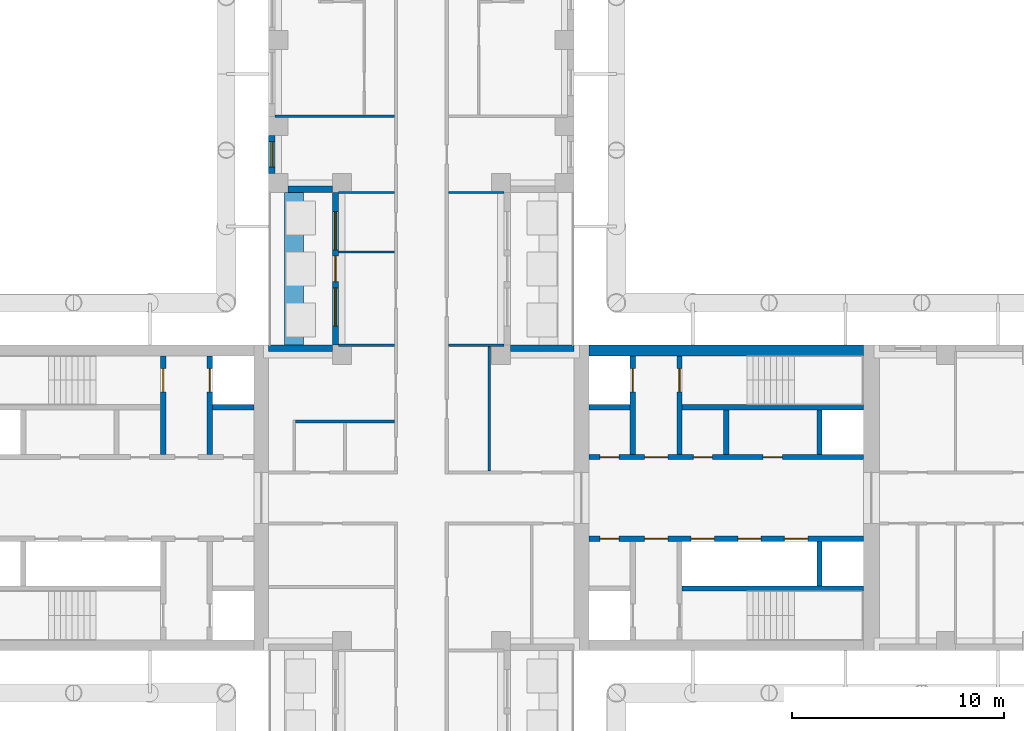
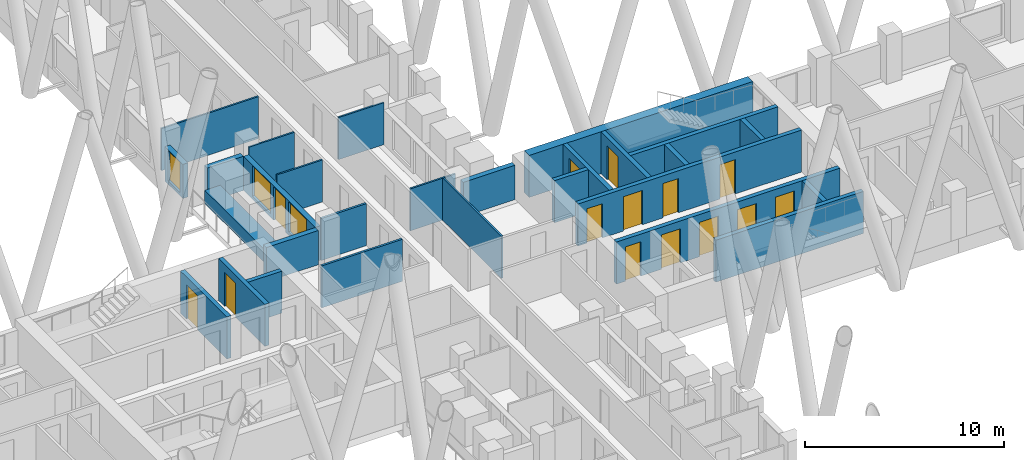
# One storey, part 9 of 16: 28 walls, 14 doors, 3 windows, 17 openings.
"""IFC4 building model written with IfcOpenShell, lengths in metres."""

from ifc_helpers import new_model, si_unit, direction, frame, frame_2d, origin, place, context, subcontext, project, spatial, rectangle, extrude, material, layer, layer_set, type_object, element, fill, save


model = new_model("IFC4")

# Units and contexts
model_context = context("Model", 3, precision=1e-05, world=origin(), true_north=direction((0.0, 1.0)))
body_context = subcontext(model_context, "Body", "Model", "MODEL_VIEW")
ifc_project = project(units=[si_unit("LENGTHUNIT", "METRE"), si_unit("AREAUNIT", "SQUARE_METRE"), si_unit("VOLUMEUNIT", "CUBIC_METRE"), si_unit("PLANEANGLEUNIT", "RADIAN"), si_unit("MASSUNIT", "GRAM", prefix="KILO")], contexts=[model_context])

# Site, building, storey
site_placement = place(None, origin())
site = spatial("IfcSite", under=ifc_project, at=site_placement, CompositionType="ELEMENT")
building_placement = place(site_placement, origin())
building = spatial("IfcBuilding", under=site, at=building_placement, Name="Fustian Cross Tower", CompositionType="ELEMENT")
storey_placement = place(building_placement, frame((0.0, 0.0, 20.699951171875)))
storey = spatial("IfcBuildingStorey", under=building, at=storey_placement, Name="L05", CompositionType="ELEMENT", Elevation=20.699951171875)

# Wall
ifc_material_1 = material(Name="Concrete C80/95", Category="concrete")
ifc_layer_1 = layer(ifc_material_1, 0.5)
ifc_layer_set_1 = layer_set([ifc_layer_1], Name="Concrete C80/95")
wall_type_1 = type_object("IfcWallType", Name="CORE FACADE WALL 500 C80/95", PredefinedType="SHEAR", material=ifc_layer_set_1)
wall_1_placement = place(storey_placement, frame((7.89990234375, 6.949951171875, 0.0), z_axis=(0.0, 0.0, 1.0), x_axis=(1.0, 0.0, 0.0)))
element("IfcWall", 1, at=wall_1_placement, inside=storey, type_object=wall_type_1, Name="Core facade wall", PredefinedType="SHEAR", context=body_context, shape_type="SweptSolid", body=[
    extrude(rectangle(XDim=12.9501953125, YDim=0.5, at=frame_2d((6.47509765625, 0.0))), origin(), (0.0, 0.0, 1.0), 2.574951171875),
])

# Wall, openings, doors
ifc_material_2 = material(Name="Concrete C50/60", Category="concrete")
ifc_layer_2 = layer(ifc_material_2, 0.25)
ifc_layer_set_2 = layer_set([ifc_layer_2], Name="Concrete C50/60")
wall_type_2 = type_object("IfcWallType", Name="CORE LOBBY WALL 250 C50/60", PredefinedType="SHEAR", material=ifc_layer_set_2)
wall_2_placement = place(storey_placement, frame((7.89990234375, 1.925048828125, 0.0), z_axis=(0.0, 0.0, 1.0), x_axis=(1.0, 0.0, 0.0)))
wall_2 = element("IfcWall", 2, at=wall_2_placement, inside=storey, type_object=wall_type_2, Name="Core lobby wall", PredefinedType="SHEAR", context=body_context, shape_type="SweptSolid", body=[
    extrude(rectangle(XDim=12.9501953125, YDim=0.25, at=frame_2d((6.47509765625, 0.0))), origin(), (0.0, 0.0, 1.0), 2.574951171875),
])
opening_1_placement = place(wall_2_placement, frame((0.52490234375, 0.0, 0.0)))
opening_1 = element("IfcOpeningElement", 3, at=opening_1_placement, cuts=wall_2, Name="Opening CD-05-08", PredefinedType="OPENING", context=body_context, shape_type="SweptSolid", body=[
    extrude(rectangle(XDim=0.89990234375, YDim=2.10009765625, at=frame_2d((0.449951171875, 1.050048828125))), frame((0.0, 0.135009765625, 0.0), z_axis=(0.0, -1.0, 0.0), x_axis=(1.0, 0.0, 0.0)), (0.0, 0.0, 1.0), 0.27001953125),
])
opening_2_placement = place(wall_2_placement, frame((2.625, 0.0, 0.0)))
opening_2 = element("IfcOpeningElement", 4, at=opening_2_placement, cuts=wall_2, Name="Opening CD-05-10", PredefinedType="OPENING", context=body_context, shape_type="SweptSolid", body=[
    extrude(rectangle(XDim=1.10009765625, YDim=2.10009765625, at=frame_2d((0.550048828125, 1.050048828125))), frame((0.0, 0.135009765625, 0.0), z_axis=(0.0, -1.0, 0.0), x_axis=(1.0, 0.0, 0.0)), (0.0, 0.0, 1.0), 0.27001953125),
])
opening_3_placement = place(wall_2_placement, frame((4.925048828125, 0.0, 0.0)))
opening_3 = element("IfcOpeningElement", 5, at=opening_3_placement, cuts=wall_2, Name="Opening CD-05-14", PredefinedType="OPENING", context=body_context, shape_type="SweptSolid", body=[
    extrude(rectangle(XDim=0.89990234375, YDim=2.10009765625, at=frame_2d((0.449951171875, 1.050048828125))), frame((0.0, 0.135009765625, 0.0), z_axis=(0.0, -1.0, 0.0), x_axis=(1.0, 0.0, 0.0)), (0.0, 0.0, 1.0), 0.27001953125),
])
opening_4_placement = place(wall_2_placement, frame((8.22509765625, 0.0, 0.0)))
opening_4 = element("IfcOpeningElement", 6, at=opening_4_placement, cuts=wall_2, Name="Opening CD-05-15", PredefinedType="OPENING", context=body_context, shape_type="SweptSolid", body=[
    extrude(rectangle(XDim=0.89990234375, YDim=2.10009765625, at=frame_2d((0.449951171875, 1.050048828125))), frame((0.0, 0.135009765625, 0.0), z_axis=(0.0, -1.0, 0.0), x_axis=(1.0, 0.0, 0.0)), (0.0, 0.0, 1.0), 0.27001953125),
])
ifc_material_3 = material(Name="Steel", Category="steel")
door_type_1 = type_object("IfcDoorType", Name="FIRE DOOR FD30S 900X2100", OperationType="SINGLE_SWING_LEFT", PredefinedType="DOOR", material=ifc_material_3)
door_1_placement = place(opening_3_placement, origin())
door_1 = element("IfcDoor", 7, at=door_1_placement, inside=storey, type_object=door_type_1, Name="Core door CD-05-14", OperationType="SINGLE_SWING_LEFT", OverallHeight=2.10009765625, OverallWidth=0.89990234375, PredefinedType="DOOR", context=body_context, shape_type="SweptSolid", body=[
    extrude(rectangle(XDim=0.89990234375, YDim=2.10009765625, at=frame_2d((0.449951171875, 1.050048828125))), frame((0.0, 0.02490234375, 0.0), z_axis=(0.0, -1.0, 0.0), x_axis=(1.0, 0.0, 0.0)), (0.0, 0.0, 1.0), 0.050048828125),
])
fill(opening_3, door_1)
door_2_placement = place(opening_4_placement, origin())
door_2 = element("IfcDoor", 8, at=door_2_placement, inside=storey, type_object=door_type_1, Name="Core door CD-05-15", OperationType="SINGLE_SWING_RIGHT", OverallHeight=2.10009765625, OverallWidth=0.89990234375, PredefinedType="DOOR", context=body_context, shape_type="SweptSolid", body=[
    extrude(rectangle(XDim=0.89990234375, YDim=2.10009765625, at=frame_2d((0.449951171875, 1.050048828125))), frame((0.0, 0.02490234375, 0.0), z_axis=(0.0, -1.0, 0.0), x_axis=(1.0, 0.0, 0.0)), (0.0, 0.0, 1.0), 0.050048828125),
])
fill(opening_4, door_2)
ifc_material_4 = material(Name="Steel", Category="steel")
door_type_2 = type_object("IfcDoorType", Name="FIRE DOOR FD60S 1100X2100", OperationType="SINGLE_SWING_LEFT", PredefinedType="DOOR", material=ifc_material_4)
door_3_placement = place(opening_2_placement, frame((1.10009765625, 0.0, 0.0), z_axis=(0.0, 0.0, 1.0), x_axis=(-1.0, 0.0, 0.0)))
door_3 = element("IfcDoor", 9, at=door_3_placement, inside=storey, type_object=door_type_2, Name="Core door CD-05-10", OperationType="SINGLE_SWING_RIGHT", OverallHeight=2.10009765625, OverallWidth=1.10009765625, PredefinedType="DOOR", context=body_context, shape_type="SweptSolid", body=[
    extrude(rectangle(XDim=1.10009765625, YDim=2.10009765625, at=frame_2d((0.550048828125, 1.050048828125))), frame((0.0, 0.02490234375, 0.0), z_axis=(0.0, -1.0, 0.0), x_axis=(1.0, 0.0, 0.0)), (0.0, 0.0, 1.0), 0.050048828125),
])
fill(opening_2, door_3)
ifc_material_5 = material(Name="Steel", Category="steel")
door_type_3 = type_object("IfcDoorType", Name="FIRE DOOR FD60S 900X2100", OperationType="SINGLE_SWING_LEFT", PredefinedType="DOOR", material=ifc_material_5)
door_4_placement = place(opening_1_placement, origin())
door_4 = element("IfcDoor", 10, at=door_4_placement, inside=storey, type_object=door_type_3, Name="Core door CD-05-08", OperationType="SINGLE_SWING_LEFT", OverallHeight=2.10009765625, OverallWidth=0.89990234375, PredefinedType="DOOR", context=body_context, shape_type="SweptSolid", body=[
    extrude(rectangle(XDim=0.89990234375, YDim=2.10009765625, at=frame_2d((0.449951171875, 1.050048828125))), frame((0.0, 0.02490234375, 0.0), z_axis=(0.0, -1.0, 0.0), x_axis=(1.0, 0.0, 0.0)), (0.0, 0.0, 1.0), 0.050048828125),
])
fill(opening_1, door_4)

wall_3_placement = place(storey_placement, frame((7.89990234375, -1.925048828125, 0.0), z_axis=(0.0, 0.0, 1.0), x_axis=(1.0, 0.0, 0.0)))
wall_3 = element("IfcWall", 11, at=wall_3_placement, inside=storey, type_object=wall_type_2, Name="Core lobby wall", PredefinedType="SHEAR", context=body_context, shape_type="SweptSolid", body=[
    extrude(rectangle(XDim=12.9501953125, YDim=0.25, at=frame_2d((6.47509765625, 0.0))), origin(), (0.0, 0.0, 1.0), 2.574951171875),
])
opening_5_placement = place(wall_3_placement, frame((4.824951171875, 0.0, 0.0)))
opening_5 = element("IfcOpeningElement", 12, at=opening_5_placement, cuts=wall_3, Name="Opening LD", PredefinedType="OPENING", context=body_context, shape_type="SweptSolid", body=[
    extrude(rectangle(XDim=1.10009765625, YDim=2.10009765625, at=frame_2d((0.550048828125, 1.050048828125))), frame((0.0, 0.135009765625, 0.0), z_axis=(0.0, -1.0, 0.0), x_axis=(1.0, 0.0, 0.0)), (0.0, 0.0, 1.0), 0.27001953125),
])
opening_6_placement = place(wall_3_placement, frame((7.02490234375, 0.0, 0.0)))
opening_6 = element("IfcOpeningElement", 13, at=opening_6_placement, cuts=wall_3, Name="Opening LD", PredefinedType="OPENING", context=body_context, shape_type="SweptSolid", body=[
    extrude(rectangle(XDim=1.10009765625, YDim=2.10009765625, at=frame_2d((0.550048828125, 1.050048828125))), frame((0.0, 0.135009765625, 0.0), z_axis=(0.0, -1.0, 0.0), x_axis=(1.0, 0.0, 0.0)), (0.0, 0.0, 1.0), 0.27001953125),
])
opening_7_placement = place(wall_3_placement, frame((9.22509765625, 0.0, 0.0)))
opening_7 = element("IfcOpeningElement", 14, at=opening_7_placement, cuts=wall_3, Name="Opening LD", PredefinedType="OPENING", context=body_context, shape_type="SweptSolid", body=[
    extrude(rectangle(XDim=1.10009765625, YDim=2.10009765625, at=frame_2d((0.550048828125, 1.050048828125))), frame((0.0, 0.135009765625, 0.0), z_axis=(0.0, -1.0, 0.0), x_axis=(1.0, 0.0, 0.0)), (0.0, 0.0, 1.0), 0.27001953125),
])
opening_8_placement = place(wall_3_placement, frame((0.52490234375, 0.0, 0.0)))
opening_8 = element("IfcOpeningElement", 15, at=opening_8_placement, cuts=wall_3, Name="Opening CD-05-09", PredefinedType="OPENING", context=body_context, shape_type="SweptSolid", body=[
    extrude(rectangle(XDim=0.89990234375, YDim=2.10009765625, at=frame_2d((0.449951171875, 1.050048828125))), frame((0.0, 0.135009765625, 0.0), z_axis=(0.0, -1.0, 0.0), x_axis=(1.0, 0.0, 0.0)), (0.0, 0.0, 1.0), 0.27001953125),
])
opening_9_placement = place(wall_3_placement, frame((2.625, 0.0, 0.0)))
opening_9 = element("IfcOpeningElement", 16, at=opening_9_placement, cuts=wall_3, Name="Opening CD-05-11", PredefinedType="OPENING", context=body_context, shape_type="SweptSolid", body=[
    extrude(rectangle(XDim=1.10009765625, YDim=2.10009765625, at=frame_2d((0.550048828125, 1.050048828125))), frame((0.0, 0.135009765625, 0.0), z_axis=(0.0, -1.0, 0.0), x_axis=(1.0, 0.0, 0.0)), (0.0, 0.0, 1.0), 0.27001953125),
])
ifc_material_6 = material(Name="Steel", Category="steel")
door_type_4 = type_object("IfcDoorType", Name="FIRE DOOR FD30S 1100X2100", OperationType="SINGLE_SWING_LEFT", PredefinedType="DOOR", material=ifc_material_6)
door_5_placement = place(opening_9_placement, frame((1.10009765625, 0.0, 0.0), z_axis=(0.0, 0.0, 1.0), x_axis=(-1.0, 0.0, 0.0)))
door_5 = element("IfcDoor", 17, at=door_5_placement, inside=storey, type_object=door_type_4, Name="Core door CD-05-11", OperationType="SINGLE_SWING_RIGHT", OverallHeight=2.10009765625, OverallWidth=1.10009765625, PredefinedType="DOOR", context=body_context, shape_type="SweptSolid", body=[
    extrude(rectangle(XDim=1.10009765625, YDim=2.10009765625, at=frame_2d((0.550048828125, 1.050048828125))), frame((0.0, 0.02490234375, 0.0), z_axis=(0.0, -1.0, 0.0), x_axis=(1.0, 0.0, 0.0)), (0.0, 0.0, 1.0), 0.050048828125),
])
fill(opening_9, door_5)
door_6_placement = place(opening_8_placement, frame((0.89990234375, 0.0, 0.0), z_axis=(0.0, 0.0, 1.0), x_axis=(-1.0, 0.0, 0.0)))
door_6 = element("IfcDoor", 18, at=door_6_placement, inside=storey, type_object=door_type_1, Name="Core door CD-05-09", OperationType="SINGLE_SWING_RIGHT", OverallHeight=2.10009765625, OverallWidth=0.89990234375, PredefinedType="DOOR", context=body_context, shape_type="SweptSolid", body=[
    extrude(rectangle(XDim=0.89990234375, YDim=2.10009765625, at=frame_2d((0.449951171875, 1.050048828125))), frame((0.0, 0.02490234375, 0.0), z_axis=(0.0, -1.0, 0.0), x_axis=(1.0, 0.0, 0.0)), (0.0, 0.0, 1.0), 0.050048828125),
])
fill(opening_8, door_6)
ifc_material_7 = material(Name="Stainless steel", Category="steel")
door_type_5 = type_object("IfcDoorType", Name="LIFT LANDING DOOR 1100X2100", OperationType="SLIDING_TO_LEFT", PredefinedType="DOOR", material=ifc_material_7)
door_7_placement = place(opening_5_placement, origin())
door_7 = element("IfcDoor", 19, at=door_7_placement, inside=storey, type_object=door_type_5, Name="Landing door LR1", OperationType="SLIDING_TO_LEFT", OverallHeight=2.10009765625, OverallWidth=1.10009765625, PredefinedType="DOOR", context=body_context, shape_type="SweptSolid", body=[
    extrude(rectangle(XDim=1.10009765625, YDim=2.10009765625, at=frame_2d((0.550048828125, 1.050048828125))), frame((0.0, 0.02490234375, 0.0), z_axis=(0.0, -1.0, 0.0), x_axis=(1.0, 0.0, 0.0)), (0.0, 0.0, 1.0), 0.050048828125),
])
fill(opening_5, door_7)
door_8_placement = place(opening_6_placement, origin())
door_8 = element("IfcDoor", 20, at=door_8_placement, inside=storey, type_object=door_type_5, Name="Landing door LR2", OperationType="SLIDING_TO_LEFT", OverallHeight=2.10009765625, OverallWidth=1.10009765625, PredefinedType="DOOR", context=body_context, shape_type="SweptSolid", body=[
    extrude(rectangle(XDim=1.10009765625, YDim=2.10009765625, at=frame_2d((0.550048828125, 1.050048828125))), frame((0.0, 0.02490234375, 0.0), z_axis=(0.0, -1.0, 0.0), x_axis=(1.0, 0.0, 0.0)), (0.0, 0.0, 1.0), 0.050048828125),
])
fill(opening_6, door_8)
door_9_placement = place(opening_7_placement, origin())
door_9 = element("IfcDoor", 21, at=door_9_placement, inside=storey, type_object=door_type_5, Name="Landing door LR3", OperationType="SLIDING_TO_LEFT", OverallHeight=2.10009765625, OverallWidth=1.10009765625, PredefinedType="DOOR", context=body_context, shape_type="SweptSolid", body=[
    extrude(rectangle(XDim=1.10009765625, YDim=2.10009765625, at=frame_2d((0.550048828125, 1.050048828125))), frame((0.0, 0.02490234375, 0.0), z_axis=(0.0, -1.0, 0.0), x_axis=(1.0, 0.0, 0.0)), (0.0, 0.0, 1.0), 0.050048828125),
])
fill(opening_7, door_9)

# Walls
ifc_material_8 = material(Name="Concrete C50/60", Category="concrete")
ifc_layer_3 = layer(ifc_material_8, 0.25)
ifc_layer_set_3 = layer_set([ifc_layer_3], Name="Concrete C50/60")
wall_type_3 = type_object("IfcWallType", Name="CORE SHAFT WALL 250 C50/60", PredefinedType="SHEAR", material=ifc_layer_set_3)
wall_4_placement = place(storey_placement, frame((7.89990234375, 4.27490234375, 0.0), z_axis=(0.0, 0.0, 1.0), x_axis=(1.0, 0.0, 0.0)))
element("IfcWall", 22, at=wall_4_placement, inside=storey, type_object=wall_type_3, Name="Core shaft wall", PredefinedType="SHEAR", context=body_context, shape_type="SweptSolid", body=[
    extrude(rectangle(XDim=1.9501953125, YDim=0.25, at=frame_2d((0.97509765625, 0.0))), origin(), (0.0, 0.0, 1.0), 2.574951171875),
])
wall_5_placement = place(storey_placement, frame((12.300048828125, 4.27490234375, 0.0), z_axis=(0.0, 0.0, 1.0), x_axis=(1.0, 0.0, 0.0)))
element("IfcWall", 23, at=wall_5_placement, inside=storey, type_object=wall_type_3, Name="Core shaft wall", PredefinedType="SHEAR", context=body_context, shape_type="SweptSolid", body=[
    extrude(rectangle(XDim=8.550048828125, YDim=0.25, at=frame_2d((4.27490234375, 0.0))), origin(), (0.0, 0.0, 1.0), 2.574951171875),
])

# Wall, opening, door
wall_6_placement = place(storey_placement, frame((9.97509765625, 2.050048828125, 0.0), z_axis=(0.0, 0.0, 1.0), x_axis=(0.0, 1.0, 0.0)))
wall_6 = element("IfcWall", 24, at=wall_6_placement, inside=storey, type_object=wall_type_3, Name="Core shaft wall", PredefinedType="SHEAR", context=body_context, shape_type="SweptSolid", body=[
    extrude(rectangle(XDim=4.64990234375, YDim=0.25, at=frame_2d((2.324951171875, 0.0))), origin(), (0.0, 0.0, 1.0), 2.574951171875),
])
opening_10_placement = place(wall_6_placement, frame((2.949951171875, 0.0, 0.0)))
opening_10 = element("IfcOpeningElement", 25, at=opening_10_placement, cuts=wall_6, Name="Opening LD", PredefinedType="OPENING", context=body_context, shape_type="SweptSolid", body=[
    extrude(rectangle(XDim=1.10009765625, YDim=2.10009765625, at=frame_2d((0.550048828125, 1.050048828125))), frame((0.0, 0.135009765625, 0.0), z_axis=(0.0, -1.0, 0.0), x_axis=(1.0, 0.0, 0.0)), (0.0, 0.0, 1.0), 0.27001953125),
])
door_10_placement = place(opening_10_placement, origin())
door_10 = element("IfcDoor", 26, at=door_10_placement, inside=storey, type_object=door_type_5, Name="Landing door FL1", OperationType="SLIDING_TO_LEFT", OverallHeight=2.10009765625, OverallWidth=1.10009765625, PredefinedType="DOOR", context=body_context, shape_type="SweptSolid", body=[
    extrude(rectangle(XDim=1.10009765625, YDim=2.10009765625, at=frame_2d((0.550048828125, 1.050048828125))), frame((0.0, 0.02490234375, 0.0), z_axis=(0.0, -1.0, 0.0), x_axis=(1.0, 0.0, 0.0)), (0.0, 0.0, 1.0), 0.050048828125),
])
fill(opening_10, door_10)

wall_7_placement = place(storey_placement, frame((12.175048828125, 2.050048828125, 0.0), z_axis=(0.0, 0.0, 1.0), x_axis=(0.0, 1.0, 0.0)))
wall_7 = element("IfcWall", 27, at=wall_7_placement, inside=storey, type_object=wall_type_3, Name="Core shaft wall", PredefinedType="SHEAR", context=body_context, shape_type="SweptSolid", body=[
    extrude(rectangle(XDim=4.64990234375, YDim=0.25, at=frame_2d((2.324951171875, 0.0))), origin(), (0.0, 0.0, 1.0), 2.574951171875),
])
opening_11_placement = place(wall_7_placement, frame((2.949951171875, 0.0, 0.0)))
opening_11 = element("IfcOpeningElement", 28, at=opening_11_placement, cuts=wall_7, Name="Opening CD-05-06", PredefinedType="OPENING", context=body_context, shape_type="SweptSolid", body=[
    extrude(rectangle(XDim=1.10009765625, YDim=2.10009765625, at=frame_2d((0.550048828125, 1.050048828125))), frame((0.0, 0.135009765625, 0.0), z_axis=(0.0, -1.0, 0.0), x_axis=(1.0, 0.0, 0.0)), (0.0, 0.0, 1.0), 0.27001953125),
])
door_11_placement = place(opening_11_placement, frame((1.10009765625, 0.0, 0.0), z_axis=(0.0, 0.0, 1.0), x_axis=(-1.0, 0.0, 0.0)))
door_11 = element("IfcDoor", 29, at=door_11_placement, inside=storey, type_object=door_type_2, Name="Core door CD-05-06", OperationType="SINGLE_SWING_RIGHT", OverallHeight=2.10009765625, OverallWidth=1.10009765625, PredefinedType="DOOR", context=body_context, shape_type="SweptSolid", body=[
    extrude(rectangle(XDim=1.10009765625, YDim=2.10009765625, at=frame_2d((0.550048828125, 1.050048828125))), frame((0.0, 0.02490234375, 0.0), z_axis=(0.0, -1.0, 0.0), x_axis=(1.0, 0.0, 0.0)), (0.0, 0.0, 1.0), 0.050048828125),
])
fill(opening_11, door_11)

# Walls
wall_8_placement = place(storey_placement, frame((12.300048828125, -4.27490234375, 0.0), z_axis=(0.0, 0.0, 1.0), x_axis=(1.0, 0.0, 0.0)))
element("IfcWall", 30, at=wall_8_placement, inside=storey, type_object=wall_type_3, Name="Core shaft wall", PredefinedType="SHEAR", context=body_context, shape_type="SweptSolid", body=[
    extrude(rectangle(XDim=8.550048828125, YDim=0.25, at=frame_2d((4.27490234375, 0.0))), origin(), (0.0, 0.0, 1.0), 2.574951171875),
])
wall_9_placement = place(storey_placement, frame((-7.89990234375, 4.27490234375, 0.0), z_axis=(0.0, 0.0, 1.0), x_axis=(-1.0, 0.0, 0.0)))
element("IfcWall", 31, at=wall_9_placement, inside=storey, type_object=wall_type_3, Name="Core shaft wall", PredefinedType="SHEAR", context=body_context, shape_type="SweptSolid", body=[
    extrude(rectangle(XDim=1.9501953125, YDim=0.25, at=frame_2d((0.97509765625, 0.0))), origin(), (0.0, 0.0, 1.0), 2.574951171875),
])

# Wall, opening, door
wall_10_placement = place(storey_placement, frame((-9.97509765625, 2.050048828125, 0.0), z_axis=(0.0, 0.0, 1.0), x_axis=(0.0, 1.0, 0.0)))
wall_10 = element("IfcWall", 32, at=wall_10_placement, inside=storey, type_object=wall_type_3, Name="Core shaft wall", PredefinedType="SHEAR", context=body_context, shape_type="SweptSolid", body=[
    extrude(rectangle(XDim=4.64990234375, YDim=0.25, at=frame_2d((2.324951171875, 0.0))), origin(), (0.0, 0.0, 1.0), 2.574951171875),
])
opening_12_placement = place(wall_10_placement, frame((2.949951171875, 0.0, 0.0)))
opening_12 = element("IfcOpeningElement", 33, at=opening_12_placement, cuts=wall_10, Name="Opening LD", PredefinedType="OPENING", context=body_context, shape_type="SweptSolid", body=[
    extrude(rectangle(XDim=1.10009765625, YDim=2.10009765625, at=frame_2d((0.550048828125, 1.050048828125))), frame((0.0, 0.135009765625, 0.0), z_axis=(0.0, -1.0, 0.0), x_axis=(1.0, 0.0, 0.0)), (0.0, 0.0, 1.0), 0.27001953125),
])
door_12_placement = place(opening_12_placement, origin())
door_12 = element("IfcDoor", 34, at=door_12_placement, inside=storey, type_object=door_type_5, Name="Landing door FL1W", OperationType="SLIDING_TO_LEFT", OverallHeight=2.10009765625, OverallWidth=1.10009765625, PredefinedType="DOOR", context=body_context, shape_type="SweptSolid", body=[
    extrude(rectangle(XDim=1.10009765625, YDim=2.10009765625, at=frame_2d((0.550048828125, 1.050048828125))), frame((0.0, 0.02490234375, 0.0), z_axis=(0.0, -1.0, 0.0), x_axis=(1.0, 0.0, 0.0)), (0.0, 0.0, 1.0), 0.050048828125),
])
fill(opening_12, door_12)

wall_11_placement = place(storey_placement, frame((-12.175048828125, 2.050048828125, 0.0), z_axis=(0.0, 0.0, 1.0), x_axis=(0.0, 1.0, 0.0)))
wall_11 = element("IfcWall", 35, at=wall_11_placement, inside=storey, type_object=wall_type_3, Name="Core shaft wall", PredefinedType="SHEAR", context=body_context, shape_type="SweptSolid", body=[
    extrude(rectangle(XDim=4.64990234375, YDim=0.25, at=frame_2d((2.324951171875, 0.0))), origin(), (0.0, 0.0, 1.0), 2.574951171875),
])
opening_13_placement = place(wall_11_placement, frame((2.949951171875, 0.0, 0.0)))
opening_13 = element("IfcOpeningElement", 36, at=opening_13_placement, cuts=wall_11, Name="Opening CD-05-21", PredefinedType="OPENING", context=body_context, shape_type="SweptSolid", body=[
    extrude(rectangle(XDim=1.10009765625, YDim=2.10009765625, at=frame_2d((0.550048828125, 1.050048828125))), frame((0.0, 0.135009765625, 0.0), z_axis=(0.0, -1.0, 0.0), x_axis=(1.0, 0.0, 0.0)), (0.0, 0.0, 1.0), 0.27001953125),
])
door_13_placement = place(opening_13_placement, origin())
door_13 = element("IfcDoor", 37, at=door_13_placement, inside=storey, type_object=door_type_2, Name="Core door CD-05-21", OperationType="SINGLE_SWING_LEFT", OverallHeight=2.10009765625, OverallWidth=1.10009765625, PredefinedType="DOOR", context=body_context, shape_type="SweptSolid", body=[
    extrude(rectangle(XDim=1.10009765625, YDim=2.10009765625, at=frame_2d((0.550048828125, 1.050048828125))), frame((0.0, 0.02490234375, 0.0), z_axis=(0.0, -1.0, 0.0), x_axis=(1.0, 0.0, 0.0)), (0.0, 0.0, 1.0), 0.050048828125),
])
fill(opening_13, door_13)

# Walls
ifc_material_9 = material(Name="Plasterboard on steel stud", Category="steel")
ifc_layer_4 = layer(ifc_material_9, 0.10009765625)
ifc_layer_set_4 = layer_set([ifc_layer_4], Name="Plasterboard on steel stud")
wall_type_4 = type_object("IfcWallType", Name="PARTITION 100 STUD", PredefinedType="PARTITIONING", material=ifc_layer_set_4)
wall_12_placement = place(storey_placement, frame((-6.89990234375, 18.0, 0.0), z_axis=(0.0, 0.0, 1.0), x_axis=(1.0, 0.0, 0.0)))
element("IfcWall", 38, at=wall_12_placement, inside=storey, type_object=wall_type_4, Name="Partition 24", PredefinedType="PARTITIONING", context=body_context, shape_type="SweptSolid", body=[
    extrude(rectangle(XDim=5.625, YDim=0.10009765625, at=frame_2d((2.8125, 0.0))), origin(), (0.0, 0.0, 1.0), 2.574951171875),
])
for number, where, z_axis, x_axis, name in (
    (39, (-3.89990234375, 11.60009765625, 0.0), (0.0, 0.0, 1.0), (1.0, 0.0, 0.0), "Partition 46"),
    (40, (-3.89990234375, 14.39990234375, 0.0), (0.0, 0.0, 1.0), (1.0, 0.0, 0.0), "Partition 47"),
    (41, (1.27490234375, 7.199951171875, 0.0), (0.0, 0.0, 1.0), (1.0, 0.0, 0.0), "Partition 60"),
    (42, (1.27490234375, 14.39990234375, 0.0), (0.0, 0.0, 1.0), (1.0, 0.0, 0.0), "Partition 61"),
):
    element("IfcWall", number, at=place(storey_placement, frame(where, z_axis=z_axis, x_axis=x_axis)), inside=storey, type_object=wall_type_4, Name=name, PredefinedType="PARTITIONING", context=body_context, shape_type="SweptSolid", body=[
        extrude(rectangle(XDim=2.625, YDim=0.10009765625, at=frame_2d((1.3125, 0.0))), origin(), (0.0, 0.0, 1.0), 2.574951171875),
    ])
wall_13_placement = place(storey_placement, frame((3.199951171875, 1.27490234375, 0.0), z_axis=(0.0, 0.0, 1.0), x_axis=(0.0, 1.0, 0.0)))
element("IfcWall", 43, at=wall_13_placement, inside=storey, type_object=wall_type_4, Name="Partition 79", PredefinedType="PARTITIONING", context=body_context, shape_type="SweptSolid", body=[
    extrude(rectangle(XDim=5.875, YDim=0.10009765625, at=frame_2d((2.9375, 0.0))), origin(), (0.0, 0.0, 1.0), 2.574951171875),
])
ifc_material_10 = material(Name="Concrete C40/50", Category="concrete")
ifc_layer_5 = layer(ifc_material_10, 0.89990234375)
ifc_layer_set_5 = layer_set([ifc_layer_5], Name="Concrete C40/50")
wall_type_5 = type_object("IfcWallType", Name="PK1 PLANTER 900", PredefinedType="PARAPET", material=ifc_layer_set_5)
wall_14_placement = place(storey_placement, frame((-6.0, 7.199951171875, 0.0), z_axis=(0.0, 0.0, 1.0), x_axis=(0.0, 1.0, 0.0)))
element("IfcWall", 44, at=wall_14_placement, inside=storey, type_object=wall_type_5, Name="PLANTER", PredefinedType="PARAPET", context=body_context, shape_type="SweptSolid", body=[
    extrude(rectangle(XDim=7.199951171875, YDim=0.89990234375, at=frame_2d((3.60009765625, 0.0))), origin(), (0.0, 0.0, 1.0), 0.800048828125),
])
ifc_material_11 = material(Name="Concrete C40/50", Category="concrete")
ifc_layer_6 = layer(ifc_material_11, 0.25)
ifc_layer_set_6 = layer_set([ifc_layer_6], Name="Concrete C40/50")
wall_type_6 = type_object("IfcWallType", Name="SHAFT PARTITION WALL 250 C40/50", PredefinedType="PARTITIONING", material=ifc_layer_set_6)
for number, where, z_axis, x_axis, name in (
    (45, (14.375, 2.050048828125, 0.0), (0.0, 0.0, 1.0), (0.0, 1.0, 0.0), "Core shaft wall"),
    (46, (18.77490234375, 2.050048828125, 0.0), (0.0, 0.0, 1.0), (0.0, 1.0, 0.0), "Core shaft wall"),
    (47, (18.77490234375, -2.050048828125, 0.0), (0.0, 0.0, 1.0), (0.0, -1.0, 0.0), "Core shaft wall"),
):
    element("IfcWall", number, at=place(storey_placement, frame(where, z_axis=z_axis, x_axis=x_axis)), inside=storey, type_object=wall_type_6, Name=name, PredefinedType="PARTITIONING", context=body_context, shape_type="SweptSolid", body=[
        extrude(rectangle(XDim=2.099853515625, YDim=0.25, at=frame_2d((1.0498046875, 0.0))), origin(), (0.0, 0.0, 1.0), 2.574951171875),
    ])
ifc_material_12 = material(Name="Plasterboard on steel stud", Category="steel")
ifc_layer_7 = layer(ifc_material_12, 0.125)
ifc_layer_set_7 = layer_set([ifc_layer_7], Name="Plasterboard on steel stud")
wall_type_7 = type_object("IfcWallType", Name="WET WALL 125 STUD", PredefinedType="PARTITIONING", material=ifc_layer_set_7)
wall_15_placement = place(storey_placement, frame((-5.9375, 3.60009765625, 0.0), z_axis=(0.0, 0.0, 1.0), x_axis=(1.0, 0.0, 0.0)))
element("IfcWall", 48, at=wall_15_placement, inside=storey, type_object=wall_type_7, Name="Partition 30", PredefinedType="PARTITIONING", context=body_context, shape_type="SweptSolid", body=[
    extrude(rectangle(XDim=4.66259765625, YDim=0.125, at=frame_2d((2.331298828125, 0.0))), origin(), (0.0, 0.0, 1.0), 2.574951171875),
])
wall_16_placement = place(storey_placement, frame((-3.89990234375, 7.199951171875, 0.0), z_axis=(0.0, 0.0, 1.0), x_axis=(1.0, 0.0, 0.0)))
element("IfcWall", 49, at=wall_16_placement, inside=storey, type_object=wall_type_7, Name="Partition 45", PredefinedType="PARTITIONING", context=body_context, shape_type="SweptSolid", body=[
    extrude(rectangle(XDim=2.625, YDim=0.125, at=frame_2d((1.3125, 0.0))), origin(), (0.0, 0.0, 1.0), 2.574951171875),
])
ifc_material_13 = material(Name="Dark aluminium cladding on insulated backing wall", Category="aluminium")
ifc_layer_8 = layer(ifc_material_13, 0.300048828125)
ifc_layer_set_8 = layer_set([ifc_layer_8], Name="Dark aluminium cladding on insulated backing wall")
wall_type_8 = type_object("IfcWallType", Name="XW1 EXTERNAL WALL 300", PredefinedType="SOLIDWALL", material=ifc_layer_set_8)
wall_17_placement = place(storey_placement, frame((7.199951171875, 7.050048828125, 0.0), z_axis=(0.0, 0.0, 1.0), x_axis=(-1.0, 0.0, 0.0)))
element("IfcWall", 50, at=wall_17_placement, inside=storey, type_object=wall_type_8, Name="External wall", PredefinedType="SOLIDWALL", context=body_context, shape_type="SweptSolid", body=[
    extrude(rectangle(XDim=3.0, YDim=0.300048828125, at=frame_2d((1.5, 0.0))), origin(), (0.0, 0.0, 1.0), 2.10009765625),
])

# Wall, opening, window
wall_18_placement = place(storey_placement, frame((-7.050048828125, 17.10009765625, 0.0), z_axis=(0.0, 0.0, 1.0), x_axis=(0.0, -1.0, 0.0)))
wall_18 = element("IfcWall", 51, at=wall_18_placement, inside=storey, type_object=wall_type_8, Name="External wall", PredefinedType="SOLIDWALL", context=body_context, shape_type="SweptSolid", body=[
    extrude(rectangle(XDim=1.800048828125, YDim=0.300048828125, at=frame_2d((0.89990234375, 0.0))), origin(), (0.0, 0.0, 1.0), 2.10009765625),
])
opening_14_placement = place(wall_18_placement, frame((0.300048828125, 0.0, 0.199951171875)))
opening_14 = element("IfcOpeningElement", 52, at=opening_14_placement, cuts=wall_18, Name="Opening WN3", PredefinedType="OPENING", context=body_context, shape_type="SweptSolid", body=[
    extrude(rectangle(XDim=1.199951171875, YDim=1.85009765625, at=frame_2d((0.60009765625, 0.925048828125))), frame((0.0, 0.159912109375, 0.0), z_axis=(0.0, -1.0, 0.0), x_axis=(1.0, 0.0, 0.0)), (0.0, 0.0, 1.0), 0.320068359375),
])
ifc_material_14 = material(Name="Dark anodised aluminium and double glazing", Category="aluminium")
window_type_1 = type_object("IfcWindowType", Name="WN3 WINDOW 1200X1850", PartitioningType="SINGLE_PANEL", PredefinedType="WINDOW", material=ifc_material_14)
window_1_placement = place(opening_14_placement, origin())
window_1 = element("IfcWindow", 53, at=window_1_placement, inside=storey, type_object=window_type_1, Name="Window", OverallHeight=1.85009765625, OverallWidth=1.199951171875, PartitioningType="SINGLE_PANEL", PredefinedType="WINDOW", context=body_context, shape_type="SweptSolid", body=[
    extrude(rectangle(XDim=1.199951171875, YDim=1.85009765625, at=frame_2d((0.60009765625, 0.925048828125))), frame((0.0, 0.030029296875, 0.0), z_axis=(0.0, -1.0, 0.0), x_axis=(1.0, 0.0, 0.0)), (0.0, 0.0, 1.0), 0.06005859375),
])
fill(opening_14, window_1)

# Wall
wall_19_placement = place(storey_placement, frame((-6.300048828125, 14.550048828125, 0.0), z_axis=(0.0, 0.0, 1.0), x_axis=(1.0, 0.0, 0.0)))
element("IfcWall", 54, at=wall_19_placement, inside=storey, type_object=wall_type_8, Name="External wall", PredefinedType="SOLIDWALL", context=body_context, shape_type="SweptSolid", body=[
    extrude(rectangle(XDim=2.10009765625, YDim=0.300048828125, at=frame_2d((1.050048828125, 0.0))), origin(), (0.0, 0.0, 1.0), 2.10009765625),
])

# Wall, openings, door, windows
wall_20_placement = place(storey_placement, frame((-4.050048828125, 14.39990234375, 0.0), z_axis=(0.0, 0.0, 1.0), x_axis=(0.0, -1.0, 0.0)))
wall_20 = element("IfcWall", 55, at=wall_20_placement, inside=storey, type_object=wall_type_8, Name="External wall", PredefinedType="SOLIDWALL", context=body_context, shape_type="SweptSolid", body=[
    extrude(rectangle(XDim=7.199951171875, YDim=0.300048828125, at=frame_2d((3.60009765625, 0.0))), origin(), (0.0, 0.0, 1.0), 2.10009765625),
])
opening_15_placement = place(wall_20_placement, frame((3.0, 0.0, 0.0)))
opening_15 = element("IfcOpeningElement", 56, at=opening_15_placement, cuts=wall_20, Name="Opening XD2", PredefinedType="OPENING", context=body_context, shape_type="SweptSolid", body=[
    extrude(rectangle(XDim=1.199951171875, YDim=2.050048828125, at=frame_2d((0.60009765625, 1.02490234375))), frame((0.0, 0.159912109375, 0.0), z_axis=(0.0, -1.0, 0.0), x_axis=(1.0, 0.0, 0.0)), (0.0, 0.0, 1.0), 0.320068359375),
])
opening_16_placement = place(wall_20_placement, frame((0.89990234375, 0.0, 0.199951171875)))
opening_16 = element("IfcOpeningElement", 57, at=opening_16_placement, cuts=wall_20, Name="Opening WN2", PredefinedType="OPENING", context=body_context, shape_type="SweptSolid", body=[
    extrude(rectangle(XDim=1.800048828125, YDim=1.85009765625, at=frame_2d((0.89990234375, 0.925048828125))), frame((0.0, 0.159912109375, 0.0), z_axis=(0.0, -1.0, 0.0), x_axis=(1.0, 0.0, 0.0)), (0.0, 0.0, 1.0), 0.320068359375),
])
opening_17_placement = place(wall_20_placement, frame((4.5, 0.0, 0.199951171875)))
opening_17 = element("IfcOpeningElement", 58, at=opening_17_placement, cuts=wall_20, Name="Opening WN2", PredefinedType="OPENING", context=body_context, shape_type="SweptSolid", body=[
    extrude(rectangle(XDim=1.800048828125, YDim=1.85009765625, at=frame_2d((0.89990234375, 0.925048828125))), frame((0.0, 0.159912109375, 0.0), z_axis=(0.0, -1.0, 0.0), x_axis=(1.0, 0.0, 0.0)), (0.0, 0.0, 1.0), 0.320068359375),
])
ifc_material_15 = material(Name="Dark anodised aluminium and double glazing", Category="aluminium")
door_type_6 = type_object("IfcDoorType", Name="ED1 BALCONY DOOR 1200X2050", OperationType="SINGLE_SWING_LEFT", PredefinedType="DOOR", material=ifc_material_15)
door_14_placement = place(opening_15_placement, origin())
door_14 = element("IfcDoor", 59, at=door_14_placement, inside=storey, type_object=door_type_6, Name="Balcony door", OperationType="SINGLE_SWING_LEFT", OverallHeight=2.050048828125, OverallWidth=1.199951171875, PredefinedType="DOOR", context=body_context, shape_type="SweptSolid", body=[
    extrude(rectangle(XDim=1.199951171875, YDim=2.050048828125, at=frame_2d((0.60009765625, 1.02490234375))), frame((0.0, 0.02490234375, 0.0), z_axis=(0.0, -1.0, 0.0), x_axis=(1.0, 0.0, 0.0)), (0.0, 0.0, 1.0), 0.050048828125),
])
fill(opening_15, door_14)
ifc_material_16 = material(Name="Dark anodised aluminium and double glazing", Category="aluminium")
window_type_2 = type_object("IfcWindowType", Name="WN2 WINDOW 1800X1850", PartitioningType="SINGLE_PANEL", PredefinedType="WINDOW", material=ifc_material_16)
window_2_placement = place(opening_16_placement, origin())
window_2 = element("IfcWindow", 60, at=window_2_placement, inside=storey, type_object=window_type_2, Name="Window", OverallHeight=1.85009765625, OverallWidth=1.800048828125, PartitioningType="SINGLE_PANEL", PredefinedType="WINDOW", context=body_context, shape_type="SweptSolid", body=[
    extrude(rectangle(XDim=1.800048828125, YDim=1.85009765625, at=frame_2d((0.89990234375, 0.925048828125))), frame((0.0, 0.030029296875, 0.0), z_axis=(0.0, -1.0, 0.0), x_axis=(1.0, 0.0, 0.0)), (0.0, 0.0, 1.0), 0.06005859375),
])
fill(opening_16, window_2)
window_3_placement = place(opening_17_placement, origin())
window_3 = element("IfcWindow", 61, at=window_3_placement, inside=storey, type_object=window_type_2, Name="Window", OverallHeight=1.85009765625, OverallWidth=1.800048828125, PartitioningType="SINGLE_PANEL", PredefinedType="WINDOW", context=body_context, shape_type="SweptSolid", body=[
    extrude(rectangle(XDim=1.800048828125, YDim=1.85009765625, at=frame_2d((0.89990234375, 0.925048828125))), frame((0.0, 0.030029296875, 0.0), z_axis=(0.0, -1.0, 0.0), x_axis=(1.0, 0.0, 0.0)), (0.0, 0.0, 1.0), 0.06005859375),
])
fill(opening_17, window_3)

# Wall
wall_21_placement = place(storey_placement, frame((-4.199951171875, 7.050048828125, 0.0), z_axis=(0.0, 0.0, 1.0), x_axis=(-1.0, 0.0, 0.0)))
element("IfcWall", 62, at=wall_21_placement, inside=storey, type_object=wall_type_8, Name="External wall", PredefinedType="SOLIDWALL", context=body_context, shape_type="SweptSolid", body=[
    extrude(rectangle(XDim=3.0, YDim=0.300048828125, at=frame_2d((1.5, 0.0))), origin(), (0.0, 0.0, 1.0), 2.10009765625),
])

save(model, "model.ifc")
